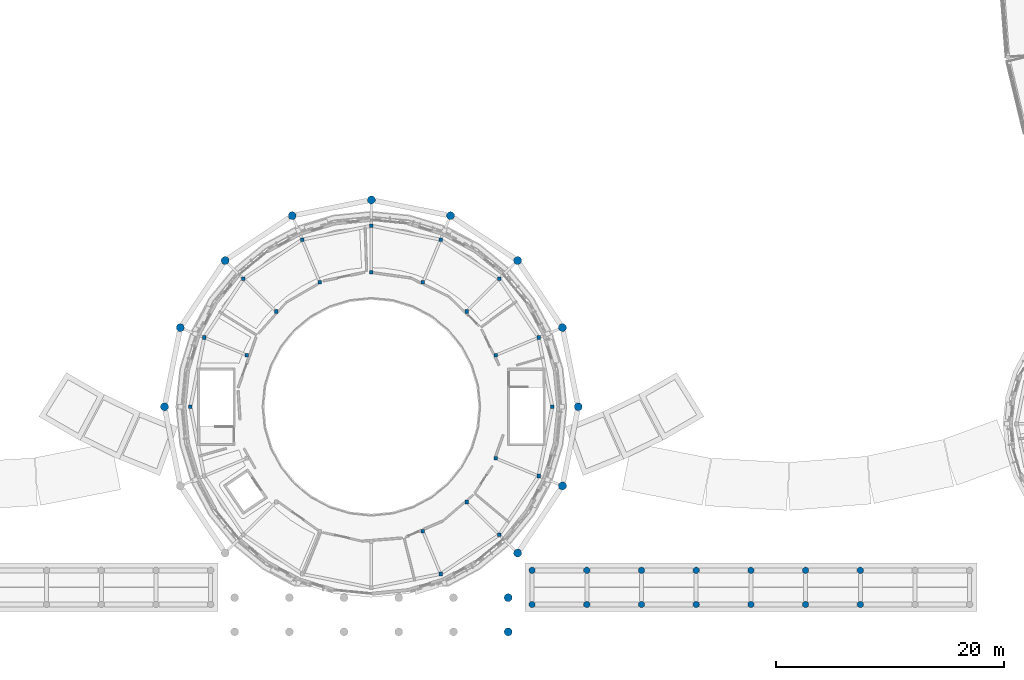
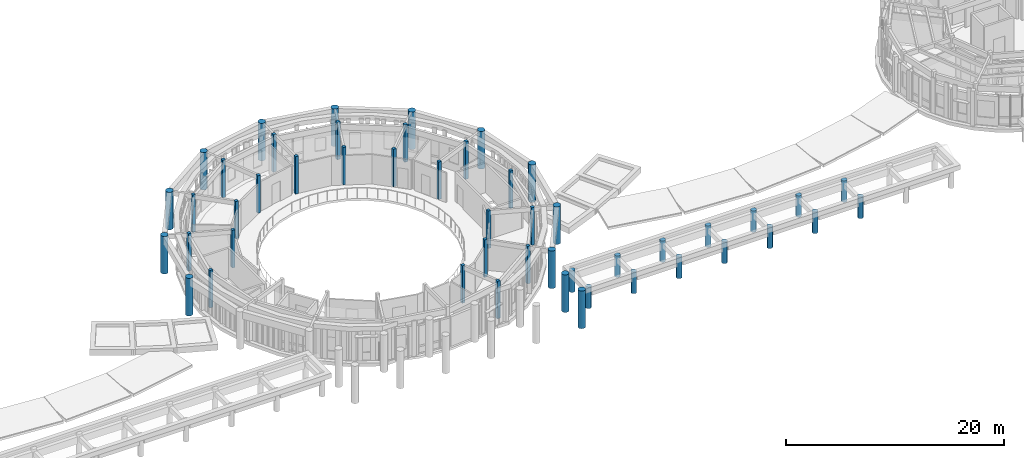
# One storey, part 2 of 80: 49 columns.
"""IFC4 building model written with IfcOpenShell, lengths in metres."""

from ifc_helpers import new_model, si_unit, direction, frame, origin, origin_2d, place, context, subcontext, project, spatial, rectangle, circle, extrude, material, material_profile, profile_set, type_object, element, save


model = new_model("IFC4")

# Units and contexts
model_context = context("Model", 3, precision=1e-05, world=origin(), true_north=direction((0.0, 1.0)))
body_context = subcontext(model_context, "Body", "Model", "MODEL_VIEW")
ifc_project = project(units=[si_unit("LENGTHUNIT", "METRE"), si_unit("AREAUNIT", "SQUARE_METRE"), si_unit("VOLUMEUNIT", "CUBIC_METRE"), si_unit("PLANEANGLEUNIT", "RADIAN"), si_unit("MASSUNIT", "GRAM", prefix="KILO")], contexts=[model_context])

# Site, building, storey
site_placement = place(None, origin())
site = spatial("IfcSite", under=ifc_project, at=site_placement, CompositionType="ELEMENT")
building_placement = place(site_placement, origin())
building = spatial("IfcBuilding", under=site, at=building_placement, Name="Aldenvaro Health Centre", CompositionType="ELEMENT")
storey_placement = place(building_placement, frame((0.0, 0.0, 4.550048828125)))
storey = spatial("IfcBuildingStorey", under=building, at=storey_placement, Name="L01", CompositionType="ELEMENT", Elevation=4.550048828125)

# Columns
ifc_material_1 = material(Name="Glulam GL28h", Category="wood")
ifc_material_profile_1 = material_profile(ifc_material_1, rectangle(XDim=0.31494140625, YDim=0.31494140625, at=origin_2d()), Name="GL 315x315", Category="wood")
ifc_profile_set_1 = profile_set([ifc_material_profile_1], Name="Glulam GL28h")
column_type_1 = type_object("IfcColumnType", Name="COL-GL-315", PredefinedType="COLUMN", material=ifc_profile_set_1)
for number, where, z_axis, x_axis, name in (
    (1, (97.919921875, 24.52294921875, 0.0), (0.0, 0.0, 1.0), (1.0, 0.0, 0.0), "D1 L01 column IN-01"),
    (2, (95.35791015625, 28.35791015625, 0.0), (0.0, 0.0, 1.0), (1.0, 0.0, 0.0), "D1 L01 column IN-02"),
    (3, (91.52294921875, 30.919921875, 0.0), (0.0, 0.0, 1.0), (1.0, 0.0, 0.0), "D1 L01 column IN-03"),
    (4, (87.0, 31.820068359375, 0.0), (0.0, 0.0, 1.0), (1.0, 0.0, 0.0), "D1 L01 column IN-04"),
    (5, (82.47705078125, 30.919921875, 0.0), (0.0, 0.0, 1.0), (1.0, 0.0, 0.0), "D1 L01 column IN-05"),
    (6, (78.64208984375, 28.35791015625, 0.0), (0.0, 0.0, 1.0), (1.0, 0.0, 0.0), "D1 L01 column IN-06"),
    (7, (76.080078125, 24.52294921875, 0.0), (0.0, 0.0, 1.0), (1.0, 0.0, 0.0), "D1 L01 column IN-07"),
    (8, (91.52294921875, 9.080078125, 0.0), (0.0, 0.0, 1.0), (1.0, 0.0, 0.0), "D1 L01 column IN-12"),
    (9, (95.35791015625, 11.64208984375, 0.0), (0.0, 0.0, 1.0), (1.0, 0.0, 0.0), "D1 L01 column IN-13"),
    (10, (97.919921875, 15.47705078125, 0.0), (0.0, 0.0, 1.0), (1.0, 0.0, 0.0), "D1 L01 column IN-14"),
):
    element("IfcColumn", number, at=place(storey_placement, frame(where, z_axis=z_axis, x_axis=x_axis)), inside=storey, type_object=column_type_1, Name=name, PredefinedType="COLUMN", context=body_context, shape_type="SweptSolid", body=[
        extrude(rectangle(XDim=0.31494140625, YDim=0.31494140625, at=origin_2d()), origin(), (0.0, 0.0, 1.0), 4.199951171875),
    ])
ifc_material_profile_2 = material_profile(ifc_material_1, rectangle(XDim=0.31494140625, YDim=0.31494140625, at=origin_2d()), Name="GL 315x315", Category="wood")
ifc_profile_set_2 = profile_set([ifc_material_profile_2], Name="Glulam GL28h")
column_type_2 = type_object("IfcColumnType", Name="COL-GL-315E", PredefinedType="COLUMN", material=ifc_profile_set_2)
for number, where, z_axis, x_axis, name in (
    (11, (102.8798828125, 20.0, 0.0), (0.0, 0.0, 1.0), (1.0, 0.0, 0.0), "D1 L01 column OUT-01"),
    (12, (101.6708984375, 26.076904296875, 0.0), (0.0, 0.0, 1.0), (1.0, 0.0, 0.0), "D1 L01 column OUT-02"),
    (13, (98.22900390625, 31.22900390625, 0.0), (0.0, 0.0, 1.0), (1.0, 0.0, 0.0), "D1 L01 column OUT-03"),
    (14, (93.076904296875, 34.6708984375, 0.0), (0.0, 0.0, 1.0), (1.0, 0.0, 0.0), "D1 L01 column OUT-04"),
    (15, (87.0, 35.8798828125, 0.0), (0.0, 0.0, 1.0), (1.0, 0.0, 0.0), "D1 L01 column OUT-05"),
    (16, (80.923095703125, 34.6708984375, 0.0), (0.0, 0.0, 1.0), (1.0, 0.0, 0.0), "D1 L01 column OUT-06"),
    (17, (75.77099609375, 31.22900390625, 0.0), (0.0, 0.0, 1.0), (1.0, 0.0, 0.0), "D1 L01 column OUT-07"),
    (18, (72.3291015625, 26.076904296875, 0.0), (0.0, 0.0, 1.0), (1.0, 0.0, 0.0), "D1 L01 column OUT-08"),
    (19, (71.1201171875, 20.0, 0.0), (0.0, 0.0, 1.0), (1.0, 0.0, 0.0), "D1 L01 column OUT-09"),
    (20, (93.076904296875, 5.3291015625, 0.0), (0.0, 0.0, 1.0), (1.0, 0.0, 0.0), "D1 L01 column OUT-14"),
    (21, (98.22900390625, 8.77099609375, 0.0), (0.0, 0.0, 1.0), (1.0, 0.0, 0.0), "D1 L01 column OUT-15"),
    (22, (101.6708984375, 13.923095703125, 0.0), (0.0, 0.0, 1.0), (1.0, 0.0, 0.0), "D1 L01 column OUT-16"),
):
    element("IfcColumn", number, at=place(storey_placement, frame(where, z_axis=z_axis, x_axis=x_axis)), inside=storey, type_object=column_type_2, Name=name, PredefinedType="COLUMN", context=body_context, shape_type="SweptSolid", body=[
        extrude(rectangle(XDim=0.31494140625, YDim=0.31494140625, at=origin_2d()), origin(), (0.0, 0.0, 1.0), 4.199951171875),
    ])
ifc_material_2 = material(Name="Concrete f'c 40 MPa", Category="concrete")
ifc_material_profile_3 = material_profile(ifc_material_2, circle(Radius=0.27490234375, at=origin_2d()), Name="RC D550", Category="concrete")
ifc_profile_set_3 = profile_set([ifc_material_profile_3], Name="Concrete f'c 40 MPa")
column_type_3 = type_object("IfcColumnType", Name="COL-RC-D550", PredefinedType="PILASTER", material=ifc_profile_set_3)
for number, where, z_axis, x_axis, name in (
    (23, (101.10009765625, 2.64990234375, 0.0), (0.0, 0.0, 1.0), (1.0, 0.0, 0.0), "South Neoclassical Stoa E Upper Column 1.1"),
    (24, (101.10009765625, 5.64990234375, 0.0), (0.0, 0.0, 1.0), (1.0, 0.0, 0.0), "South Neoclassical Stoa E Upper Column 1.2"),
    (25, (105.89990234375, 2.64990234375, 0.0), (0.0, 0.0, 1.0), (1.0, 0.0, 0.0), "South Neoclassical Stoa E Upper Column 2.1"),
    (26, (105.89990234375, 5.64990234375, 0.0), (0.0, 0.0, 1.0), (1.0, 0.0, 0.0), "South Neoclassical Stoa E Upper Column 2.2"),
    (27, (110.699951171875, 2.64990234375, 0.0), (0.0, 0.0, 1.0), (1.0, 0.0, 0.0), "South Neoclassical Stoa E Upper Column 3.1"),
    (28, (110.699951171875, 5.64990234375, 0.0), (0.0, 0.0, 1.0), (1.0, 0.0, 0.0), "South Neoclassical Stoa E Upper Column 3.2"),
    (29, (115.5, 2.64990234375, 0.0), (0.0, 0.0, 1.0), (1.0, 0.0, 0.0), "South Neoclassical Stoa E Upper Column 4.1"),
    (30, (115.5, 5.64990234375, 0.0), (0.0, 0.0, 1.0), (1.0, 0.0, 0.0), "South Neoclassical Stoa E Upper Column 4.2"),
    (31, (120.300048828125, 2.64990234375, 0.0), (0.0, 0.0, 1.0), (1.0, 0.0, 0.0), "South Neoclassical Stoa E Upper Column 5.1"),
    (32, (120.300048828125, 5.64990234375, 0.0), (0.0, 0.0, 1.0), (1.0, 0.0, 0.0), "South Neoclassical Stoa E Upper Column 5.2"),
    (33, (125.10009765625, 2.64990234375, 0.0), (0.0, 0.0, 1.0), (1.0, 0.0, 0.0), "South Neoclassical Stoa E Upper Column 6.1"),
    (34, (125.10009765625, 5.64990234375, 0.0), (0.0, 0.0, 1.0), (1.0, 0.0, 0.0), "South Neoclassical Stoa E Upper Column 6.2"),
    (35, (129.89990234375, 2.64990234375, 0.0), (0.0, 0.0, 1.0), (1.0, 0.0, 0.0), "South Neoclassical Stoa E Upper Column 7.1"),
    (36, (129.89990234375, 5.64990234375, 0.0), (0.0, 0.0, 1.0), (1.0, 0.0, 0.0), "South Neoclassical Stoa E Upper Column 7.2"),
):
    element("IfcColumn", number, at=place(storey_placement, frame(where, z_axis=z_axis, x_axis=x_axis)), inside=storey, type_object=column_type_3, Name=name, PredefinedType="PILASTER", context=body_context, shape_type="SweptSolid", body=[
        extrude(circle(Radius=0.27490234375, at=origin_2d()), origin(), (0.0, 0.0, 1.0), 2.39990234375),
    ])
ifc_material_profile_4 = material_profile(ifc_material_2, circle(Radius=0.35009765625, at=origin_2d()), Name="RC D700", Category="concrete")
ifc_profile_set_4 = profile_set([ifc_material_profile_4], Name="Concrete f'c 40 MPa")
column_type_4 = type_object("IfcColumnType", Name="COL-RC-D700", PredefinedType="COLUMN", material=ifc_profile_set_4)
for number, where, z_axis, x_axis, name in (
    (37, (99.0, 0.25, 0.0), (0.0, 0.0, 1.0), (1.0, 0.0, 0.0), "Neoclassical Portico Giant Column Upper 6.1"),
    (38, (99.0, 3.25, 0.0), (0.0, 0.0, 1.0), (1.0, 0.0, 0.0), "Neoclassical Portico Giant Column Upper 6.2"),
    (39, (105.14990234375, 20.0, 0.0), (0.0, 0.0, 1.0), (1.0, 0.0, 0.0), "Waiting Rotunda Peristyle Upper Column 01"),
    (40, (103.76806640625, 26.946044921875, 0.0), (0.0, 0.0, 1.0), (1.0, 0.0, 0.0), "Waiting Rotunda Peristyle Upper Column 02"),
    (41, (99.833984375, 32.833984375, 0.0), (0.0, 0.0, 1.0), (1.0, 0.0, 0.0), "Waiting Rotunda Peristyle Upper Column 03"),
    (42, (93.946044921875, 36.76806640625, 0.0), (0.0, 0.0, 1.0), (1.0, 0.0, 0.0), "Waiting Rotunda Peristyle Upper Column 04"),
    (43, (87.0, 38.14990234375, 0.0), (0.0, 0.0, 1.0), (1.0, 0.0, 0.0), "Waiting Rotunda Peristyle Upper Column 05"),
    (44, (80.053955078125, 36.76806640625, 0.0), (0.0, 0.0, 1.0), (1.0, 0.0, 0.0), "Waiting Rotunda Peristyle Upper Column 06"),
    (45, (74.166015625, 32.833984375, 0.0), (0.0, 0.0, 1.0), (1.0, 0.0, 0.0), "Waiting Rotunda Peristyle Upper Column 07"),
    (46, (70.23193359375, 26.946044921875, 0.0), (0.0, 0.0, 1.0), (1.0, 0.0, 0.0), "Waiting Rotunda Peristyle Upper Column 08"),
    (47, (68.85009765625, 20.0, 0.0), (0.0, 0.0, 1.0), (1.0, 0.0, 0.0), "Waiting Rotunda Peristyle Upper Column 09"),
    (48, (99.833984375, 7.166015625, 0.0), (0.0, 0.0, 1.0), (1.0, 0.0, 0.0), "Waiting Rotunda Peristyle Upper Column 15"),
    (49, (103.76806640625, 13.053955078125, 0.0), (0.0, 0.0, 1.0), (1.0, 0.0, 0.0), "Waiting Rotunda Peristyle Upper Column 16"),
):
    element("IfcColumn", number, at=place(storey_placement, frame(where, z_axis=z_axis, x_axis=x_axis)), inside=storey, type_object=column_type_4, Name=name, PredefinedType="COLUMN", context=body_context, shape_type="SweptSolid", body=[
        extrude(circle(Radius=0.35009765625, at=origin_2d()), origin(), (0.0, 0.0, 1.0), 4.199951171875),
    ])

save(model, "model.ifc")
